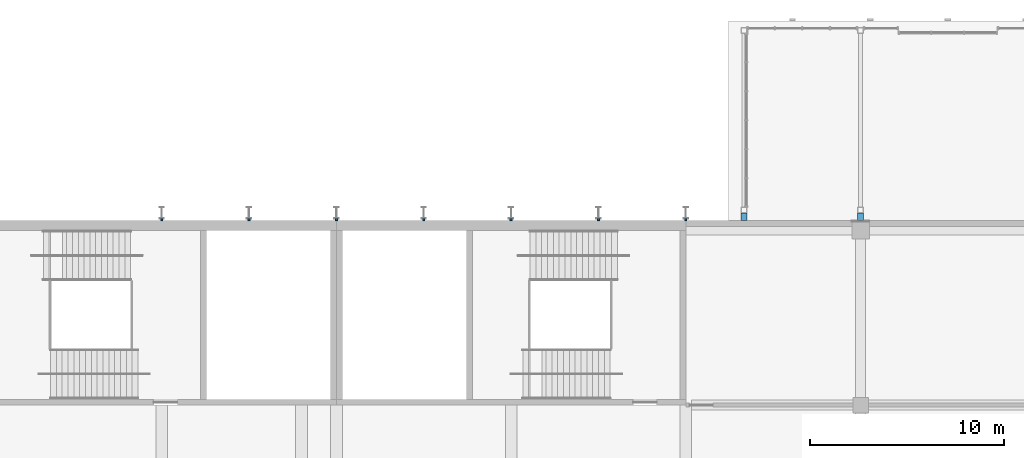
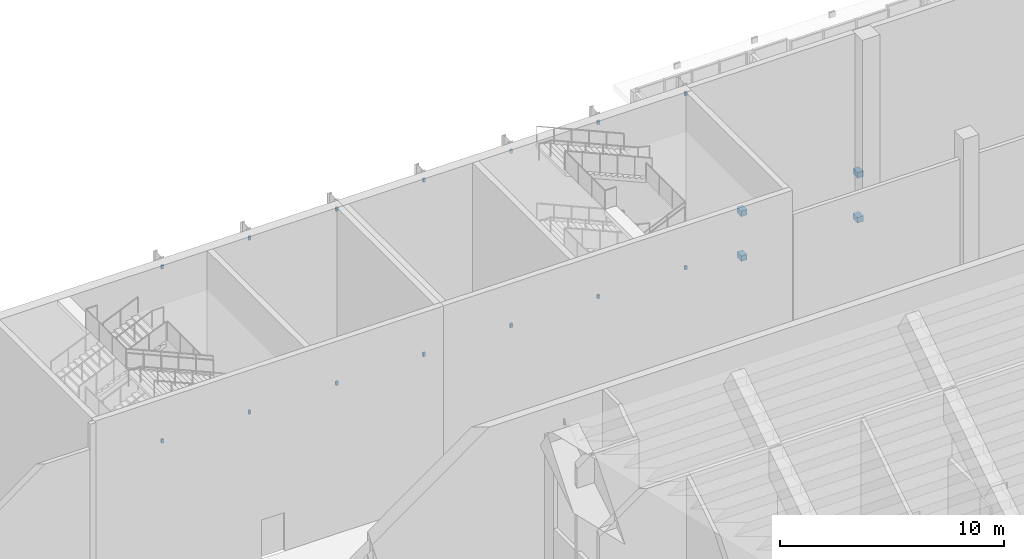
# One storey, part 128 of 182: 18 discrete accessories.
"""IFC4 building model written with IfcOpenShell, lengths in metres."""

import ifcopenshell
import ifcopenshell.guid

model = None  # the IFC model being written
_history = None  # IfcOwnerHistory: only IFC2X3 demands one
_inside = {}  # id of a spatial element -> (the spatial element, [elements in it])
_under = {}  # id of a project, library or spatial element -> (it, [spatial elements below it])
_declared = {}  # id of a project -> (the project, [libraries it declares])
_typed = {}  # id of a type object -> (the type object, [elements of that type])
_made_of = {}  # id of a material, layer set ... -> (it, [elements and type objects made of it])


def new_model(schema):
    """Start an empty IFC model of exactly this schema.

    Asked for "IFC4X3", IfcOpenShell would pick the latest addendum, in which some entities
    have other attributes; the version numbers below select the first issue.
    IFC2X3 requires an IfcOwnerHistory on every rooted entity: one is made here for all.
    """
    global model, _history
    if schema == "IFC4X3":
        model = ifcopenshell.file(schema_version=(4, 3, 0, 0))
    else:
        model = ifcopenshell.file(schema=schema)
    _inside.clear()
    _under.clear()
    _declared.clear()
    _typed.clear()
    _made_of.clear()
    _history = None
    if model.schema == "IFC2X3":
        org = make("IfcOrganization", Name="unknown")
        user = make(
            "IfcPersonAndOrganization",
            ThePerson=make("IfcPerson", FamilyName="unknown"),
            TheOrganization=org,
        )
        app = make(
            "IfcApplication",
            ApplicationDeveloper=org,
            Version="unknown",
            ApplicationFullName="unknown",
            ApplicationIdentifier="unknown",
        )
        _history = make(
            "IfcOwnerHistory",
            OwningUser=user,
            OwningApplication=app,
            ChangeAction="ADDED",
            CreationDate=0,
        )
    return model


def make(cls, **values):
    """One entity of the class cls with the attributes given. An attribute that is None is left unset."""
    return model.create_entity(
        cls, **{name: value for name, value in values.items() if value is not None}
    )


def rooted(cls, **values):
    """An entity with a GlobalId (a new one), such as an element, a storey or a relation."""
    return make(cls, GlobalId=ifcopenshell.guid.new(), OwnerHistory=_history, **values)


def si_unit(unit_type, name, prefix=None):
    """IfcSIUnit, for example si_unit("LENGTHUNIT", "METRE", prefix="MILLI")."""
    return make("IfcSIUnit", UnitType=unit_type, Prefix=prefix, Name=name)


def assignment(units):
    """IfcUnitAssignment: the units of a project."""
    return None if units is None else make("IfcUnitAssignment", Units=units)


def point(xyz):
    """IfcCartesianPoint."""
    return None if xyz is None else make("IfcCartesianPoint", Coordinates=xyz)


def direction(xyz):
    """IfcDirection."""
    return None if xyz is None else make("IfcDirection", DirectionRatios=xyz)


def frame(location, z_axis=None, x_axis=None):
    """IfcAxis2Placement3D, a coordinate frame: its origin and axes. An axis left out is left unset."""
    return make(
        "IfcAxis2Placement3D",
        Location=point(location),
        Axis=direction(z_axis),
        RefDirection=direction(x_axis),
    )


def frame_2d(location, x_axis=None):
    """IfcAxis2Placement2D, a coordinate frame in the plane: its origin and x axis."""
    return make(
        "IfcAxis2Placement2D", Location=point(location), RefDirection=direction(x_axis)
    )


def origin():
    """The frame at (0, 0, 0) with its axes left unset."""
    return frame((0.0, 0.0, 0.0))


def origin_2d():
    """The frame at (0, 0) in the plane with its x axis left unset."""
    return frame_2d((0.0, 0.0))


def place(relative_to, where):
    """IfcLocalPlacement: puts the frame where relative to a parent placement (None: the world)."""
    return make(
        "IfcLocalPlacement", PlacementRelTo=relative_to, RelativePlacement=where
    )


def context(
    kind, dimensions, precision=None, world=None, true_north=None, identifier=None
):
    """IfcGeometricRepresentationContext, for example the 3D "Model" context."""
    return make(
        "IfcGeometricRepresentationContext",
        ContextIdentifier=identifier,
        ContextType=kind,
        CoordinateSpaceDimension=dimensions,
        Precision=precision,
        WorldCoordinateSystem=world,
        TrueNorth=true_north,
    )


def subcontext(parent, identifier, kind, view, scale=None):
    """IfcGeometricRepresentationSubContext, for example "Body" below "Model"."""
    return make(
        "IfcGeometricRepresentationSubContext",
        ContextIdentifier=identifier,
        ContextType=kind,
        ParentContext=parent,
        TargetScale=scale,
        TargetView=view,
    )


def project(units=None, contexts=None):
    """IfcProject with its units and contexts."""
    return rooted(
        "IfcProject",
        Name="project",
        RepresentationContexts=contexts,
        UnitsInContext=assignment(units),
    )


def spatial(cls, under=None, at=None, **own):
    """A site, building, storey or space (cls), placed at a placement, below another one or the project."""
    s = rooted(cls, ObjectPlacement=at, **own)
    if under is not None:
        _under.setdefault(under.id(), (under, []))[1].append(s)
    return s


def profile(cls, at=None, kind="AREA", **sizes):
    """A parametric profile (cls). Its sizes go by their IFC names, for example OverallWidth=200.0."""
    return make(cls, ProfileType=kind, Position=at, **sizes)


def rectangle(**sizes):
    """IfcRectangleProfileDef."""
    return profile("IfcRectangleProfileDef", **sizes)


def extrude(swept, where, along, depth):
    """IfcExtrudedAreaSolid: the profile swept, set in the frame where, extruded along a direction by depth."""
    return make(
        "IfcExtrudedAreaSolid",
        SweptArea=swept,
        Position=where,
        ExtrudedDirection=direction(along),
        Depth=depth,
    )


def shape(context_of_items, identifier, shape_type, items):
    """IfcShapeRepresentation: the items that make up one representation, for example the "Body"."""
    return make(
        "IfcShapeRepresentation",
        ContextOfItems=context_of_items,
        RepresentationIdentifier=identifier,
        RepresentationType=shape_type,
        Items=items,
    )


def material(Name=None, Category=None):
    """IfcMaterial."""
    return make("IfcMaterial", Name=Name, Category=Category)


def made_of(thing, what):
    """Note that an element or type object is made of a material, layer set ...; save() writes the relation."""
    if what is not None:
        _made_of.setdefault(what.id(), (what, []))[1].append(thing)
    return thing


def type_object(cls, material=None, **own):
    """A type object (cls), such as IfcWallType, which elements share."""
    return made_of(rooted(cls, **own), material)


def element(
    cls,
    number,
    at=None,
    inside=None,
    cuts=None,
    type_object=None,
    material=None,
    context=None,
    identifier="Body",
    shape_type=None,
    held_by="IfcProductDefinitionShape",
    body=None,
    shapes=None,
    **own,
):
    """One element of the class cls, such as IfcWall. Its Tag is "e" and its number.

    at: its placement. inside: the storey or other place that contains it. cuts: it is an
    opening in that element (IfcRelVoidsElement). A single representation is given by context,
    identifier, shape_type and body (its items); several are given by shapes. held_by: the class
    of the entity that holds the representations. save() writes the other relations.
    """
    e = rooted(cls, Tag="e%d" % number, ObjectPlacement=at, **own)
    if body is not None:
        shapes = [shape(context, identifier, shape_type, body)]
    if shapes is not None:
        e.Representation = make(held_by, Representations=shapes)
    if inside is not None:
        _inside.setdefault(inside.id(), (inside, []))[1].append(e)
    if cuts is not None:
        rooted(
            "IfcRelVoidsElement", RelatingBuildingElement=cuts, RelatedOpeningElement=e
        )
    if type_object is not None:
        _typed.setdefault(type_object.id(), (type_object, []))[1].append(e)
    return made_of(e, material)


def aggregate(whole, parts):
    """IfcRelAggregates: a whole, such as a stair, and the parts it consists of."""
    return rooted("IfcRelAggregates", RelatingObject=whole, RelatedObjects=parts)


def save(model, path):
    """Write the relations noted so far, then the file.

    IfcRelAggregates (storeys below a building ...), IfcRelContainedInSpatialStructure (elements
    in a storey), IfcRelDefinesByType, IfcRelAssociatesMaterial and IfcRelDeclares: one each for
    every whole, place, type object, material and project.
    """
    for whole, parts in _under.values():
        aggregate(whole, parts)
    for where, things in _inside.values():
        rooted(
            "IfcRelContainedInSpatialStructure",
            RelatedElements=things,
            RelatingStructure=where,
        )
    for kind, things in _typed.values():
        rooted("IfcRelDefinesByType", RelatedObjects=things, RelatingType=kind)
    for what, things in _made_of.values():
        rooted("IfcRelAssociatesMaterial", RelatedObjects=things, RelatingMaterial=what)
    for by, libraries in _declared.values():
        rooted("IfcRelDeclares", RelatingContext=by, RelatedDefinitions=libraries)
    model.write(path)


model = new_model("IFC4")

# Units and contexts
model_context = context("Model", 3, precision=1e-05, world=origin(), true_north=direction((0.0, 1.0)))
body_context = subcontext(model_context, "Body", "Model", "MODEL_VIEW")
ifc_project = project(units=[si_unit("LENGTHUNIT", "METRE"), si_unit("AREAUNIT", "SQUARE_METRE"), si_unit("VOLUMEUNIT", "CUBIC_METRE"), si_unit("PLANEANGLEUNIT", "RADIAN"), si_unit("MASSUNIT", "GRAM", prefix="KILO")], contexts=[model_context])

# Site, building, storey
site_placement = place(None, origin())
site = spatial("IfcSite", under=ifc_project, at=site_placement, CompositionType="ELEMENT")
building_placement = place(site_placement, origin())
building = spatial("IfcBuilding", under=site, at=building_placement, Name="Silverbay Arena", CompositionType="ELEMENT")
storey_placement = place(building_placement, frame((0.0, 0.0, 11.5)))
storey = spatial("IfcBuildingStorey", under=building, at=storey_placement, Name="L02", CompositionType="ELEMENT", Elevation=11.5)

# Discrete accessories
ifc_material = material(Name="Steel S355", Category="steel")
discrete_accessory_type = type_object("IfcDiscreteAccessoryType", Name="Steel bracket plate", PredefinedType="BRACKET", material=ifc_material)
for number, where, z_axis, x_axis, name in (
    (1, (90.0, 144.550048828125, 0.39990234375), (0.0, 0.0, 1.0), (1.0, 0.0, 0.0), "Fin bracket"),
    (2, (90.0, 144.550048828125, 9.89990234375), (0.0, 0.0, 1.0), (1.0, 0.0, 0.0), "Fin bracket"),
    (3, (94.5, 144.550048828125, 0.39990234375), (0.0, 0.0, 1.0), (1.0, 0.0, 0.0), "Fin bracket"),
    (4, (94.5, 144.550048828125, 9.89990234375), (0.0, 0.0, 1.0), (1.0, 0.0, 0.0), "Fin bracket"),
    (5, (99.0, 144.550048828125, 0.39990234375), (0.0, 0.0, 1.0), (1.0, 0.0, 0.0), "Fin bracket"),
    (6, (99.0, 144.550048828125, 9.89990234375), (0.0, 0.0, 1.0), (1.0, 0.0, 0.0), "Fin bracket"),
    (7, (103.5, 144.550048828125, 0.39990234375), (0.0, 0.0, 1.0), (1.0, 0.0, 0.0), "Fin bracket"),
    (8, (103.5, 144.550048828125, 9.89990234375), (0.0, 0.0, 1.0), (1.0, 0.0, 0.0), "Fin bracket"),
    (9, (108.0, 144.550048828125, 0.39990234375), (0.0, 0.0, 1.0), (1.0, 0.0, 0.0), "Fin bracket"),
    (10, (108.0, 144.550048828125, 9.89990234375), (0.0, 0.0, 1.0), (1.0, 0.0, 0.0), "Fin bracket"),
    (11, (112.5, 144.550048828125, 0.39990234375), (0.0, 0.0, 1.0), (1.0, 0.0, 0.0), "Fin bracket"),
    (12, (112.5, 144.550048828125, 9.89990234375), (0.0, 0.0, 1.0), (1.0, 0.0, 0.0), "Fin bracket"),
    (13, (117.0, 144.550048828125, 0.39990234375), (0.0, 0.0, 1.0), (1.0, 0.0, 0.0), "Fin bracket"),
    (14, (117.0, 144.550048828125, 9.89990234375), (0.0, 0.0, 1.0), (1.0, 0.0, 0.0), "Fin bracket"),
):
    element("IfcDiscreteAccessory", number, at=place(storey_placement, frame(where, z_axis=z_axis, x_axis=x_axis)), inside=storey, type_object=discrete_accessory_type, Name=name, PredefinedType="BRACKET", context=body_context, shape_type="SweptSolid", body=[
        extrude(rectangle(XDim=0.1201171875, YDim=0.10009765625, at=origin_2d()), origin(), (0.0, 0.0, 1.0), 0.199951171875),
    ])
for number, where, z_axis, x_axis, name in (
    (15, (120.0, 144.699951171875, -0.14990234375), (0.0, 0.0, 1.0), (1.0, 0.0, 0.0), "Hall column bracket plate"),
    (16, (120.0, 144.699951171875, 2.29638671875), (0.0, 0.0, 1.0), (1.0, 0.0, 0.0), "Hall column bracket plate"),
    (17, (126.0, 144.699951171875, -0.14990234375), (0.0, 0.0, 1.0), (1.0, 0.0, 0.0), "Hall column bracket plate"),
    (18, (126.0, 144.699951171875, 2.29638671875), (0.0, 0.0, 1.0), (1.0, 0.0, 0.0), "Hall column bracket plate"),
):
    element("IfcDiscreteAccessory", number, at=place(storey_placement, frame(where, z_axis=z_axis, x_axis=x_axis)), inside=storey, type_object=discrete_accessory_type, Name=name, PredefinedType="BRACKET", context=body_context, shape_type="SweptSolid", body=[
        extrude(rectangle(XDim=0.300048828125, YDim=0.39990234375, at=origin_2d()), origin(), (0.0, 0.0, 1.0), 0.300048828125),
    ])

save(model, "model.ifc")
